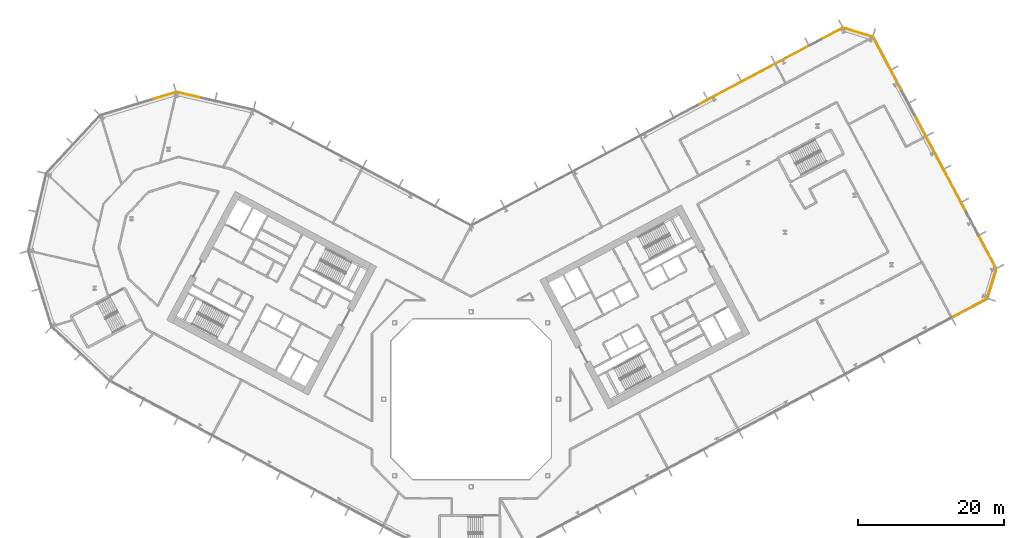
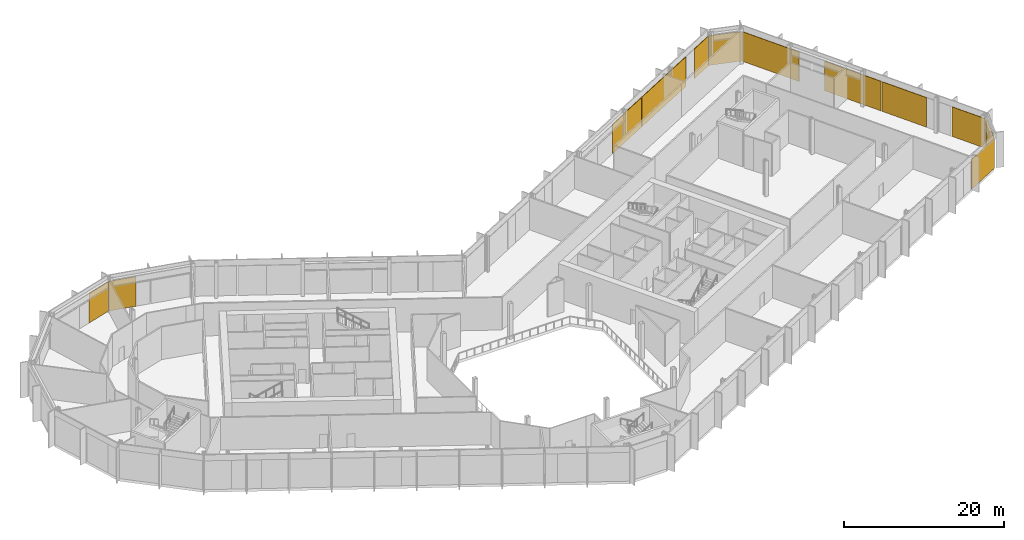
# One storey, part 30 of 30: 12 coverings, 7 elements without a shape of their own.
"""IFC4 building model written with IfcOpenShell, lengths in metres."""

import ifcopenshell
import ifcopenshell.guid

model = None  # the IFC model being written
_history = None  # IfcOwnerHistory: only IFC2X3 demands one
_inside = {}  # id of a spatial element -> (the spatial element, [elements in it])
_under = {}  # id of a project, library or spatial element -> (it, [spatial elements below it])
_declared = {}  # id of a project -> (the project, [libraries it declares])
_typed = {}  # id of a type object -> (the type object, [elements of that type])
_made_of = {}  # id of a material, layer set ... -> (it, [elements and type objects made of it])


def new_model(schema):
    """Start an empty IFC model of exactly this schema.

    Asked for "IFC4X3", IfcOpenShell would pick the latest addendum, in which some entities
    have other attributes; the version numbers below select the first issue.
    IFC2X3 requires an IfcOwnerHistory on every rooted entity: one is made here for all.
    """
    global model, _history
    if schema == "IFC4X3":
        model = ifcopenshell.file(schema_version=(4, 3, 0, 0))
    else:
        model = ifcopenshell.file(schema=schema)
    _inside.clear()
    _under.clear()
    _declared.clear()
    _typed.clear()
    _made_of.clear()
    _history = None
    if model.schema == "IFC2X3":
        org = make("IfcOrganization", Name="unknown")
        user = make(
            "IfcPersonAndOrganization",
            ThePerson=make("IfcPerson", FamilyName="unknown"),
            TheOrganization=org,
        )
        app = make(
            "IfcApplication",
            ApplicationDeveloper=org,
            Version="unknown",
            ApplicationFullName="unknown",
            ApplicationIdentifier="unknown",
        )
        _history = make(
            "IfcOwnerHistory",
            OwningUser=user,
            OwningApplication=app,
            ChangeAction="ADDED",
            CreationDate=0,
        )
    return model


def make(cls, **values):
    """One entity of the class cls with the attributes given. An attribute that is None is left unset."""
    return model.create_entity(
        cls, **{name: value for name, value in values.items() if value is not None}
    )


def rooted(cls, **values):
    """An entity with a GlobalId (a new one), such as an element, a storey or a relation."""
    return make(cls, GlobalId=ifcopenshell.guid.new(), OwnerHistory=_history, **values)


def si_unit(unit_type, name, prefix=None):
    """IfcSIUnit, for example si_unit("LENGTHUNIT", "METRE", prefix="MILLI")."""
    return make("IfcSIUnit", UnitType=unit_type, Prefix=prefix, Name=name)


def assignment(units):
    """IfcUnitAssignment: the units of a project."""
    return None if units is None else make("IfcUnitAssignment", Units=units)


def point(xyz):
    """IfcCartesianPoint."""
    return None if xyz is None else make("IfcCartesianPoint", Coordinates=xyz)


def direction(xyz):
    """IfcDirection."""
    return None if xyz is None else make("IfcDirection", DirectionRatios=xyz)


def frame(location, z_axis=None, x_axis=None):
    """IfcAxis2Placement3D, a coordinate frame: its origin and axes. An axis left out is left unset."""
    return make(
        "IfcAxis2Placement3D",
        Location=point(location),
        Axis=direction(z_axis),
        RefDirection=direction(x_axis),
    )


def frame_2d(location, x_axis=None):
    """IfcAxis2Placement2D, a coordinate frame in the plane: its origin and x axis."""
    return make(
        "IfcAxis2Placement2D", Location=point(location), RefDirection=direction(x_axis)
    )


def origin():
    """The frame at (0, 0, 0) with its axes left unset."""
    return frame((0.0, 0.0, 0.0))


def origin_2d():
    """The frame at (0, 0) in the plane with its x axis left unset."""
    return frame_2d((0.0, 0.0))


def place(relative_to, where):
    """IfcLocalPlacement: puts the frame where relative to a parent placement (None: the world)."""
    return make(
        "IfcLocalPlacement", PlacementRelTo=relative_to, RelativePlacement=where
    )


def context(
    kind, dimensions, precision=None, world=None, true_north=None, identifier=None
):
    """IfcGeometricRepresentationContext, for example the 3D "Model" context."""
    return make(
        "IfcGeometricRepresentationContext",
        ContextIdentifier=identifier,
        ContextType=kind,
        CoordinateSpaceDimension=dimensions,
        Precision=precision,
        WorldCoordinateSystem=world,
        TrueNorth=true_north,
    )


def subcontext(parent, identifier, kind, view, scale=None):
    """IfcGeometricRepresentationSubContext, for example "Body" below "Model"."""
    return make(
        "IfcGeometricRepresentationSubContext",
        ContextIdentifier=identifier,
        ContextType=kind,
        ParentContext=parent,
        TargetScale=scale,
        TargetView=view,
    )


def project(units=None, contexts=None):
    """IfcProject with its units and contexts."""
    return rooted(
        "IfcProject",
        Name="project",
        RepresentationContexts=contexts,
        UnitsInContext=assignment(units),
    )


def spatial(cls, under=None, at=None, **own):
    """A site, building, storey or space (cls), placed at a placement, below another one or the project."""
    s = rooted(cls, ObjectPlacement=at, **own)
    if under is not None:
        _under.setdefault(under.id(), (under, []))[1].append(s)
    return s


def profile(cls, at=None, kind="AREA", **sizes):
    """A parametric profile (cls). Its sizes go by their IFC names, for example OverallWidth=200.0."""
    return make(cls, ProfileType=kind, Position=at, **sizes)


def rectangle(**sizes):
    """IfcRectangleProfileDef."""
    return profile("IfcRectangleProfileDef", **sizes)


def extrude(swept, where, along, depth):
    """IfcExtrudedAreaSolid: the profile swept, set in the frame where, extruded along a direction by depth."""
    return make(
        "IfcExtrudedAreaSolid",
        SweptArea=swept,
        Position=where,
        ExtrudedDirection=direction(along),
        Depth=depth,
    )


def shape(context_of_items, identifier, shape_type, items):
    """IfcShapeRepresentation: the items that make up one representation, for example the "Body"."""
    return make(
        "IfcShapeRepresentation",
        ContextOfItems=context_of_items,
        RepresentationIdentifier=identifier,
        RepresentationType=shape_type,
        Items=items,
    )


def material(Name=None, Category=None):
    """IfcMaterial."""
    return make("IfcMaterial", Name=Name, Category=Category)


def layer(
    of_material, thickness, ventilated=None, Name=None, Category=None, Priority=None
):
    """IfcMaterialLayer: one layer of a wall or slab, of a material (None: an air gap)."""
    return make(
        "IfcMaterialLayer",
        Material=of_material,
        LayerThickness=thickness,
        IsVentilated=ventilated,
        Name=Name,
        Category=Category,
        Priority=Priority,
    )


def layer_set(layers, Name=None):
    """IfcMaterialLayerSet."""
    return make("IfcMaterialLayerSet", MaterialLayers=layers, LayerSetName=Name)


def made_of(thing, what):
    """Note that an element or type object is made of a material, layer set ...; save() writes the relation."""
    if what is not None:
        _made_of.setdefault(what.id(), (what, []))[1].append(thing)
    return thing


def type_object(cls, material=None, **own):
    """A type object (cls), such as IfcWallType, which elements share."""
    return made_of(rooted(cls, **own), material)


def element(
    cls,
    number,
    at=None,
    inside=None,
    cuts=None,
    type_object=None,
    material=None,
    context=None,
    identifier="Body",
    shape_type=None,
    held_by="IfcProductDefinitionShape",
    body=None,
    shapes=None,
    **own,
):
    """One element of the class cls, such as IfcWall. Its Tag is "e" and its number.

    at: its placement. inside: the storey or other place that contains it. cuts: it is an
    opening in that element (IfcRelVoidsElement). A single representation is given by context,
    identifier, shape_type and body (its items); several are given by shapes. held_by: the class
    of the entity that holds the representations. save() writes the other relations.
    """
    e = rooted(cls, Tag="e%d" % number, ObjectPlacement=at, **own)
    if body is not None:
        shapes = [shape(context, identifier, shape_type, body)]
    if shapes is not None:
        e.Representation = make(held_by, Representations=shapes)
    if inside is not None:
        _inside.setdefault(inside.id(), (inside, []))[1].append(e)
    if cuts is not None:
        rooted(
            "IfcRelVoidsElement", RelatingBuildingElement=cuts, RelatedOpeningElement=e
        )
    if type_object is not None:
        _typed.setdefault(type_object.id(), (type_object, []))[1].append(e)
    return made_of(e, material)


def aggregate(whole, parts):
    """IfcRelAggregates: a whole, such as a stair, and the parts it consists of."""
    return rooted("IfcRelAggregates", RelatingObject=whole, RelatedObjects=parts)


def save(model, path):
    """Write the relations noted so far, then the file.

    IfcRelAggregates (storeys below a building ...), IfcRelContainedInSpatialStructure (elements
    in a storey), IfcRelDefinesByType, IfcRelAssociatesMaterial and IfcRelDeclares: one each for
    every whole, place, type object, material and project.
    """
    for whole, parts in _under.values():
        aggregate(whole, parts)
    for where, things in _inside.values():
        rooted(
            "IfcRelContainedInSpatialStructure",
            RelatedElements=things,
            RelatingStructure=where,
        )
    for kind, things in _typed.values():
        rooted("IfcRelDefinesByType", RelatedObjects=things, RelatingType=kind)
    for what, things in _made_of.values():
        rooted("IfcRelAssociatesMaterial", RelatedObjects=things, RelatingMaterial=what)
    for by, libraries in _declared.values():
        rooted("IfcRelDeclares", RelatingContext=by, RelatedDefinitions=libraries)
    model.write(path)


model = new_model("IFC4")

# Units and contexts
model_context = context("Model", 3, precision=1e-05, world=origin(), true_north=direction((0.0, 1.0)))
body_context = subcontext(model_context, "Body", "Model", "MODEL_VIEW")
ifc_project = project(units=[si_unit("LENGTHUNIT", "METRE"), si_unit("AREAUNIT", "SQUARE_METRE"), si_unit("VOLUMEUNIT", "CUBIC_METRE"), si_unit("PLANEANGLEUNIT", "RADIAN"), si_unit("MASSUNIT", "GRAM", prefix="KILO")], contexts=[model_context])

# Site, building, storey
site_placement = place(None, origin())
site = spatial("IfcSite", under=ifc_project, at=site_placement, CompositionType="ELEMENT")
building_placement = place(site_placement, origin())
building = spatial("IfcBuilding", under=site, at=building_placement, Name="Cormorant Relay Tower", CompositionType="ELEMENT")
storey_placement = place(building_placement, frame((0.0, 0.0, 55.39990234375)))
storey = spatial("IfcBuildingStorey", under=building, at=storey_placement, Name="L10", CompositionType="ELEMENT", Elevation=55.39990234375)

# Curtain wall, covering
ifc_material_1 = material(Name="Aluminium 6063-T6 anodised bronze", Category="aluminium")
ifc_layer_1 = layer(ifc_material_1, 0.235107421875)
ifc_layer_set_1 = layer_set([ifc_layer_1], Name="CW6 data hall curtain wall with mineral wool panels")
curtain_wall_type = type_object("IfcCurtainWallType", Name="CW6 data hall curtain wall with mineral wool panels", PredefinedType="NOTDEFINED", material=ifc_layer_set_1)
curtain_wall_1_placement = place(storey_placement, origin())
curtain_wall_1 = element("IfcCurtainWall", 1, at=curtain_wall_1_placement, inside=storey, type_object=curtain_wall_type, Name="CW6 curtain wall 2", PredefinedType="NOTDEFINED")
ifc_material_2 = material(Name="Mineral wool cored anodised bronze aluminium cassette panel", Category="aluminium")
ifc_layer_2 = layer(ifc_material_2, 0.074951171875)
ifc_layer_set_2 = layer_set([ifc_layer_2], Name="CW6 mineral wool cassette panel 75")
covering_type = type_object("IfcCoveringType", Name="CW6 mineral wool cassette panel 75", PredefinedType="CLADDING", material=ifc_layer_set_2)
covering_1_placement = place(storey_placement, frame((68.399658203125, 12.542236328125, 0.0), z_axis=(0.0, 0.0, 1.0), x_axis=(0.882947592859, 0.469471562786, 0.0)))
covering_1 = element("IfcCovering", 2, at=covering_1_placement, type_object=covering_type, Name="CW6 panel S13", PredefinedType="CLADDING", context=body_context, shape_type="SweptSolid", body=[
    extrude(rectangle(XDim=5.436767578125, YDim=0.074951171875, at=origin_2d()), origin(), (0.0, 0.0, 1.0), 4.5),
])
aggregate(curtain_wall_1, [covering_1])

curtain_wall_2_placement = place(storey_placement, origin())
curtain_wall_2 = element("IfcCurtainWall", 3, at=curtain_wall_2_placement, inside=storey, type_object=curtain_wall_type, Name="CW6 curtain wall 3", PredefinedType="NOTDEFINED")
covering_2_placement = place(storey_placement, frame((71.44921875, 15.9052734375, 0.0), z_axis=(0.0, 0.0, 1.0), x_axis=(0.292371704723, 0.956304755963, 0.0)))
covering_2 = element("IfcCovering", 4, at=covering_2_placement, type_object=covering_type, Name="CW6 panel S00", PredefinedType="CLADDING", context=body_context, shape_type="SweptSolid", body=[
    extrude(rectangle(XDim=4.16748046875, YDim=0.074951171875, at=origin_2d()), origin(), (0.0, 0.0, 1.0), 4.5),
])
aggregate(curtain_wall_2, [covering_2])

# Curtain wall, coverings
curtain_wall_3_placement = place(storey_placement, origin())
curtain_wall_3 = element("IfcCurtainWall", 5, at=curtain_wall_3_placement, inside=storey, type_object=curtain_wall_type, Name="CW6 curtain wall 4", PredefinedType="NOTDEFINED")
covering_3_placement = place(storey_placement, frame((70.8486328125, 20.197021484375, 0.0), z_axis=(0.0, 0.0, 1.0), x_axis=(-0.469471562786, 0.882947592859, 0.0)))
covering_3 = element("IfcCovering", 6, at=covering_3_placement, type_object=covering_type, Name="CW6 panel S00", PredefinedType="CLADDING", context=body_context, shape_type="SweptSolid", body=[
    extrude(rectangle(XDim=4.992919921875, YDim=0.074951171875, at=origin_2d()), origin(), (0.0, 0.0, 1.0), 4.5),
])
covering_4_placement = place(storey_placement, frame((66.3818359375, 28.59765625, 0.0), z_axis=(0.0, 0.0, 1.0), x_axis=(-0.469471562786, 0.882947592859, 0.0)))
covering_4 = element("IfcCovering", 7, at=covering_4_placement, type_object=covering_type, Name="CW6 panel S02", PredefinedType="CLADDING", context=body_context, shape_type="SweptSolid", body=[
    extrude(rectangle(XDim=6.53564453125, YDim=0.074951171875, at=origin_2d()), origin(), (0.0, 0.0, 1.0), 4.5),
])
covering_5_placement = place(storey_placement, frame((62.820556640625, 35.29541015625, 0.0), z_axis=(0.0, 0.0, 1.0), x_axis=(-0.469471562786, 0.882947592859, 0.0)))
covering_5 = element("IfcCovering", 8, at=covering_5_placement, type_object=covering_type, Name="CW6 panel S03", PredefinedType="CLADDING", context=body_context, shape_type="SweptSolid", body=[
    extrude(rectangle(XDim=8.335693359375, YDim=0.074951171875, at=origin_2d()), origin(), (0.0, 0.0, 1.0), 4.5),
])
covering_6_placement = place(storey_placement, frame((57.129150390625, 45.99951171875, 0.0), z_axis=(0.0, 0.0, 1.0), x_axis=(-0.469471562786, 0.882947592859, 0.0)))
covering_6 = element("IfcCovering", 9, at=covering_6_placement, type_object=covering_type, Name="CW6 panel S06", PredefinedType="CLADDING", context=body_context, shape_type="SweptSolid", body=[
    extrude(rectangle(XDim=8.41064453125, YDim=0.074951171875, at=origin_2d()), origin(), (0.0, 0.0, 1.0), 4.5),
])
aggregate(curtain_wall_3, [covering_3, covering_4, covering_5, covering_6])

# Curtain wall, covering
curtain_wall_4_placement = place(storey_placement, origin())
curtain_wall_4 = element("IfcCurtainWall", 10, at=curtain_wall_4_placement, inside=storey, type_object=curtain_wall_type, Name="CW6 curtain wall 5", PredefinedType="NOTDEFINED")
covering_7_placement = place(storey_placement, frame((53.068115234375, 50.362060546875, 0.0), z_axis=(0.0, 0.0, 1.0), x_axis=(-0.956304755963, 0.292371704723, 0.0)))
covering_7 = element("IfcCovering", 11, at=covering_7_placement, type_object=covering_type, Name="CW6 panel S00", PredefinedType="CLADDING", context=body_context, shape_type="SweptSolid", body=[
    extrude(rectangle(XDim=4.16748046875, YDim=0.074951171875, at=origin_2d()), origin(), (0.0, 0.0, 1.0), 4.5),
])
aggregate(curtain_wall_4, [covering_7])

# Curtain wall, coverings
curtain_wall_5_placement = place(storey_placement, origin())
curtain_wall_5 = element("IfcCurtainWall", 12, at=curtain_wall_5_placement, inside=storey, type_object=curtain_wall_type, Name="CW6 curtain wall 6", PredefinedType="NOTDEFINED")
covering_8_placement = place(storey_placement, frame((49.5205078125, 50.156982421875, 0.0), z_axis=(0.0, 0.0, 1.0), x_axis=(-0.882947592859, -0.469471562786, 0.0)))
covering_8 = element("IfcCovering", 13, at=covering_8_placement, type_object=covering_type, Name="CW6 panel S00", PredefinedType="CLADDING", context=body_context, shape_type="SweptSolid", body=[
    extrude(rectangle(XDim=3.3076171875, YDim=0.074951171875, at=origin_2d()), origin(), (0.0, 0.0, 1.0), 4.5),
])
covering_9_placement = place(storey_placement, frame((41.762451171875, 46.031982421875, 0.0), z_axis=(0.0, 0.0, 1.0), x_axis=(-0.882947592859, -0.469471562786, 0.0)))
covering_9 = element("IfcCovering", 14, at=covering_9_placement, type_object=covering_type, Name="CW6 panel S02", PredefinedType="CLADDING", context=body_context, shape_type="SweptSolid", body=[
    extrude(rectangle(XDim=10.365234375, YDim=0.074951171875, at=origin_2d()), origin(), (0.0, 0.0, 1.0), 4.5),
])
covering_10_placement = place(storey_placement, frame((34.0673828125, 41.940185546875, 0.0), z_axis=(0.0, 0.0, 1.0), x_axis=(-0.882947592859, -0.469471562786, 0.0)))
covering_10 = element("IfcCovering", 15, at=covering_10_placement, type_object=covering_type, Name="CW6 panel S03", PredefinedType="CLADDING", context=body_context, shape_type="SweptSolid", body=[
    extrude(rectangle(XDim=6.765380859375, YDim=0.074951171875, at=origin_2d()), origin(), (0.0, 0.0, 1.0), 4.5),
])
aggregate(curtain_wall_5, [covering_8, covering_9, covering_10])

# Curtain wall, covering
curtain_wall_6_placement = place(storey_placement, origin())
curtain_wall_6 = element("IfcCurtainWall", 16, at=curtain_wall_6_placement, inside=storey, type_object=curtain_wall_type, Name="CW6 curtain wall 8", PredefinedType="NOTDEFINED")
covering_11_placement = place(storey_placement, frame((-38.72265625, 41.74951171875, 0.0), z_axis=(0.0, 0.0, 1.0), x_axis=(-0.974370064785, 0.224951054344, 0.0)))
covering_11 = element("IfcCovering", 17, at=covering_11_placement, type_object=covering_type, Name="CW6 panel S02", PredefinedType="CLADDING", context=body_context, shape_type="SweptSolid", body=[
    extrude(rectangle(XDim=3.560302734375, YDim=0.074951171875, at=origin_2d()), origin(), (0.0, 0.0, 1.0), 4.5),
])
aggregate(curtain_wall_6, [covering_11])

curtain_wall_7_placement = place(storey_placement, origin())
curtain_wall_7 = element("IfcCurtainWall", 18, at=curtain_wall_7_placement, inside=storey, type_object=curtain_wall_type, Name="CW6 curtain wall 9", PredefinedType="NOTDEFINED")
covering_12_placement = place(storey_placement, frame((-42.214599609375, 41.617919921875, 0.0), z_axis=(0.0, 0.0, 1.0), x_axis=(-0.956304755963, -0.292371704723, 0.0)))
covering_12 = element("IfcCovering", 19, at=covering_12_placement, type_object=covering_type, Name="CW6 panel S00", PredefinedType="CLADDING", context=body_context, shape_type="SweptSolid", body=[
    extrude(rectangle(XDim=3.485107421875, YDim=0.074951171875, at=origin_2d()), origin(), (0.0, 0.0, 1.0), 4.5),
])
aggregate(curtain_wall_7, [covering_12])

save(model, "model.ifc")
